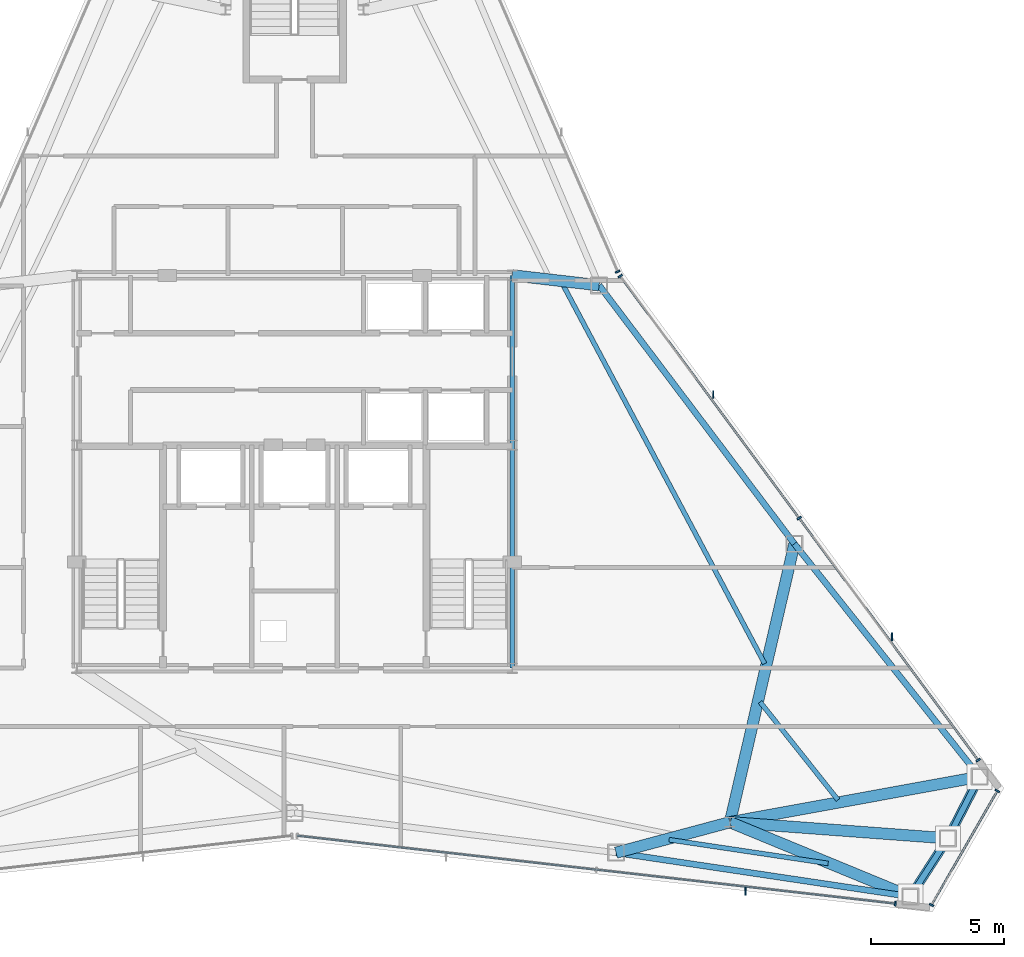
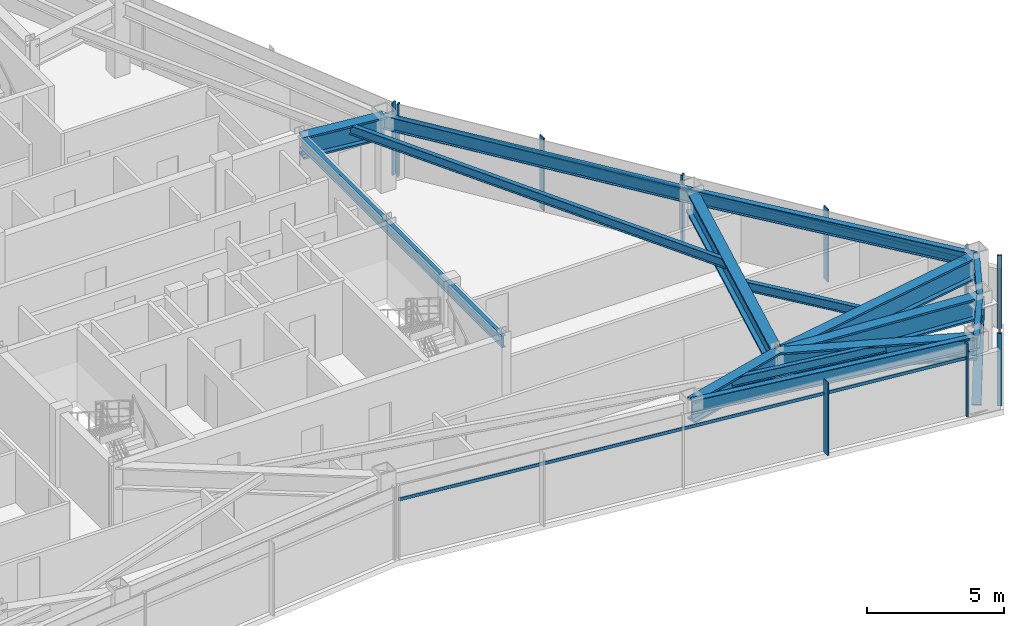
# One storey, part 6 of 12: 15 beams, 15 members, 4 elements without a shape of their own.
"""IFC4 building model written with IfcOpenShell, lengths in metres."""

from ifc_helpers import new_model, si_unit, direction, frame, origin, origin_2d, place, context, subcontext, project, spatial, rectangle, hollow_rectangle, i_section, extrude, source, transform, mapped, material, layer, layer_set, material_profile, profile_set, type_object, type_shapes, element, aggregate, save


model = new_model("IFC4")

# Units and contexts
model_context = context("Model", 3, precision=1e-05, world=origin(), true_north=direction((0.0, 1.0)))
body_context = subcontext(model_context, "Body", "Model", "MODEL_VIEW")
ifc_project = project(units=[si_unit("LENGTHUNIT", "METRE"), si_unit("AREAUNIT", "SQUARE_METRE"), si_unit("VOLUMEUNIT", "CUBIC_METRE"), si_unit("PLANEANGLEUNIT", "RADIAN"), si_unit("MASSUNIT", "GRAM", prefix="KILO")], contexts=[model_context])

# Site, building, storey
site_placement = place(None, origin())
site = spatial("IfcSite", under=ifc_project, at=site_placement, CompositionType="ELEMENT")
building_placement = place(site_placement, origin())
building = spatial("IfcBuilding", under=site, at=building_placement, Name="Varakhsha Concourse Tower", CompositionType="ELEMENT")
storey_placement = place(building_placement, frame((0.0, 0.0, 283.0)))
storey = spatial("IfcBuildingStorey", under=building, at=storey_placement, Name="L80", CompositionType="ELEMENT", Elevation=283.0)

# Beams
ifc_material_1 = material(Name="Structural Steel ASTM A992 Grade 50", Category="steel")
ifc_material_profile_1 = material_profile(ifc_material_1, i_section(OverallWidth=0.177978515625, OverallDepth=0.406982421875, WebThickness=0.008056640625, FlangeThickness=0.012939453125, at=origin_2d()), Name="W16X40")
ifc_profile_set_1 = profile_set([ifc_material_profile_1], Name="Structural Steel ASTM A992 Grade 50")
beam_type_1 = type_object("IfcBeamType", Name="BM-JST-W16X40", PredefinedType="JOIST", material=ifc_profile_set_1)
beam_1_placement = place(storey_placement, frame((54.1064453125, 9.940673828125, 3.04638671875), z_axis=(0.989050778545, -0.14757559913, 0.0), x_axis=(0.14757559913, 0.989050778545, 0.0)))
element("IfcBeam", 1, at=beam_1_placement, inside=storey, type_object=beam_type_1, Name="BM-TJST-L80-12", PredefinedType="JOIST", context=body_context, shape_type="SweptSolid", body=[
    extrude(i_section(OverallWidth=0.177978515625, OverallDepth=0.406982421875, WebThickness=0.008056640625, FlangeThickness=0.012939453125, at=origin_2d()), origin(), (0.0, 0.0, 1.0), 6.056640625),
])
beam_2_placement = place(storey_placement, frame((60.468505859375, 11.43994140625, 3.04638671875), z_axis=(-0.622297049911, 0.782781183775, 0.0), x_axis=(-0.782781183775, -0.622297049911, 0.0)))
element("IfcBeam", 2, at=beam_2_placement, inside=storey, type_object=beam_type_1, Name="BM-TJST-L80-15", PredefinedType="JOIST", context=body_context, shape_type="SweptSolid", body=[
    extrude(i_section(OverallWidth=0.177978515625, OverallDepth=0.406982421875, WebThickness=0.008056640625, FlangeThickness=0.012939453125, at=origin_2d()), origin(), (0.0, 0.0, 1.0), 4.71142578125),
])
beam_3_placement = place(storey_placement, frame((57.707763671875, 16.569580078125, 3.04638671875), z_axis=(-0.469879718571, 0.88273045154, 0.0), x_axis=(-0.88273045154, -0.469879718571, 0.0)))
element("IfcBeam", 3, at=beam_3_placement, inside=storey, type_object=beam_type_1, Name="BM-TJST-L80-16", PredefinedType="JOIST", context=body_context, shape_type="SweptSolid", body=[
    extrude(i_section(OverallWidth=0.177978515625, OverallDepth=0.406982421875, WebThickness=0.008056640625, FlangeThickness=0.012939453125, at=origin_2d()), origin(), (0.0, 0.0, 1.0), 16.224853515625),
])
ifc_material_profile_2 = material_profile(ifc_material_1, i_section(OverallWidth=0.1669921875, OverallDepth=0.534912109375, WebThickness=0.010009765625, FlangeThickness=0.01708984375, at=origin_2d()), Name="W21X57")
ifc_profile_set_2 = profile_set([ifc_material_profile_2], Name="Structural Steel ASTM A992 Grade 50")
beam_type_2 = type_object("IfcBeamType", Name="BM-RAD-W21X57", PredefinedType="BEAM", material=ifc_profile_set_2)
beam_4_placement = place(storey_placement, frame((48.199951171875, 16.39990234375, 2.982421875), z_axis=(0.0, 1.0, 0.0), x_axis=(-1.0, 0.0, 0.0)))
element("IfcBeam", 4, at=beam_4_placement, inside=storey, type_object=beam_type_2, Name="BM-TCORE-L80-CE", PredefinedType="BEAM", context=body_context, shape_type="SweptSolid", body=[
    extrude(i_section(OverallWidth=0.1669921875, OverallDepth=0.534912109375, WebThickness=0.010009765625, FlangeThickness=0.01708984375, at=origin_2d()), origin(), (0.0, 0.0, 1.0), 14.800048828125),
])
ifc_material_profile_3 = material_profile(ifc_material_1, i_section(OverallWidth=0.22900390625, OverallDepth=0.612060546875, WebThickness=0.011962890625, FlangeThickness=0.02001953125, at=origin_2d()), Name="W24X84")
ifc_profile_set_3 = profile_set([ifc_material_profile_3], Name="Structural Steel ASTM A992 Grade 50")
beam_type_3 = type_object("IfcBeamType", Name="BM-SPAN-W24X84", PredefinedType="SPANDREL", material=ifc_profile_set_3)
beam_5_placement = place(storey_placement, frame((52.110107421875, 9.45166015625, 2.944091796875), z_axis=(0.989050299735, -0.147578808076, 0.0), x_axis=(0.147578808076, 0.989050299735, 0.0)))
element("IfcBeam", 5, at=beam_5_placement, inside=storey, type_object=beam_type_3, Name="BM-SPAN-L80-12", PredefinedType="SPANDREL", context=body_context, shape_type="SweptSolid", body=[
    extrude(i_section(OverallWidth=0.22900390625, OverallDepth=0.612060546875, WebThickness=0.011962890625, FlangeThickness=0.02001953125, at=origin_2d()), origin(), (0.0, 0.0, 1.0), 11.2080078125),
])
beam_6_placement = place(storey_placement, frame((63.1953125, 7.797607421875, 2.944091796875), z_axis=(0.541792375817, 0.840512356546, 0.0), x_axis=(-0.840512356546, 0.541792375817, 0.0)))
element("IfcBeam", 6, at=beam_6_placement, inside=storey, type_object=beam_type_3, Name="BM-SPAN-L80-13", PredefinedType="SPANDREL", context=body_context, shape_type="SweptSolid", body=[
    extrude(i_section(OverallWidth=0.22900390625, OverallDepth=0.612060546875, WebThickness=0.011962890625, FlangeThickness=0.02001953125, at=origin_2d()), origin(), (0.0, 0.0, 1.0), 2.6103515625),
])
beam_7_placement = place(storey_placement, frame((64.609619140625, 9.99169921875, 2.944091796875), z_axis=(0.457026728921, 0.889452960562, 0.0), x_axis=(-0.889452960562, 0.457026728921, 0.0)))
element("IfcBeam", 7, at=beam_7_placement, inside=storey, type_object=beam_type_3, Name="BM-SPAN-L80-14", PredefinedType="SPANDREL", context=body_context, shape_type="SweptSolid", body=[
    extrude(i_section(OverallWidth=0.22900390625, OverallDepth=0.612060546875, WebThickness=0.011962890625, FlangeThickness=0.02001953125, at=origin_2d()), origin(), (0.0, 0.0, 1.0), 2.610107421875),
])
beam_8_placement = place(storey_placement, frame((65.802490234375, 12.313232421875, 2.944091796875), z_axis=(-0.62232797875, 0.782756594903, 0.0), x_axis=(-0.782756594903, -0.62232797875, 0.0)))
element("IfcBeam", 8, at=beam_8_placement, inside=storey, type_object=beam_type_3, Name="BM-SPAN-L80-15", PredefinedType="SPANDREL", context=body_context, shape_type="SweptSolid", body=[
    extrude(i_section(OverallWidth=0.22900390625, OverallDepth=0.612060546875, WebThickness=0.011962890625, FlangeThickness=0.02001953125, at=origin_2d()), origin(), (0.0, 0.0, 1.0), 11.2080078125),
])
beam_9_placement = place(storey_placement, frame((58.827392578125, 21.08642578125, 2.944091796875), z_axis=(-0.60276855687, 0.797916077572, 0.0), x_axis=(-0.797916077572, -0.60276855687, 0.0)))
element("IfcBeam", 9, at=beam_9_placement, inside=storey, type_object=beam_type_3, Name="BM-SPAN-L80-16", PredefinedType="SPANDREL", context=body_context, shape_type="SweptSolid", body=[
    extrude(i_section(OverallWidth=0.22900390625, OverallDepth=0.612060546875, WebThickness=0.011962890625, FlangeThickness=0.02001953125, at=origin_2d()), origin(), (0.0, 0.0, 1.0), 12.202880859375),
])
ifc_material_profile_4 = material_profile(ifc_material_1, i_section(OverallWidth=0.427978515625, OverallDepth=0.97509765625, WebThickness=0.050048828125, FlangeThickness=0.0810546875, at=origin_2d()), Name="W36X395")
ifc_profile_set_4 = profile_set([ifc_material_profile_4], Name="Structural Steel ASTM A992 Grade 50")
beam_type_4 = type_object("IfcBeamType", Name="BM-XFER-W36X395", PredefinedType="USERDEFINED", material=ifc_profile_set_4)
beam_10_placement = place(storey_placement, frame((56.39990234375, 10.60009765625, 2.762451171875), z_axis=(-0.965982637978, -0.258606927838, 0.0), x_axis=(0.258606927838, -0.965982637978, 0.0)))
element("IfcBeam", 10, at=beam_10_placement, inside=storey, type_object=beam_type_4, Name="L80 Radial Floor Girder 12", ObjectType="GIRDER", PredefinedType="USERDEFINED", context=body_context, shape_type="SweptSolid", body=[
    extrude(i_section(OverallWidth=0.427978515625, OverallDepth=0.97509765625, WebThickness=0.050048828125, FlangeThickness=0.0810546875, at=origin_2d()), origin(), (0.0, 0.0, 1.0), 4.44091796875),
])
beam_11_placement = place(storey_placement, frame((56.39990234375, 10.60009765625, 2.762451171875), z_axis=(0.924468161954, -0.381259252392, 0.0), x_axis=(0.381259252392, 0.924468161954, 0.0)))
element("IfcBeam", 11, at=beam_11_placement, inside=storey, type_object=beam_type_4, Name="L80 Radial Floor Girder 13", ObjectType="GIRDER", PredefinedType="USERDEFINED", context=body_context, shape_type="SweptSolid", body=[
    extrude(i_section(OverallWidth=0.427978515625, OverallDepth=0.97509765625, WebThickness=0.050048828125, FlangeThickness=0.0810546875, at=origin_2d()), origin(), (0.0, 0.0, 1.0), 7.3505859375),
])
beam_12_placement = place(storey_placement, frame((56.39990234375, 10.60009765625, 2.762451171875), z_axis=(0.997265326359, -0.073904457528, 0.0), x_axis=(0.073904457528, 0.997265326359, 0.0)))
element("IfcBeam", 12, at=beam_12_placement, inside=storey, type_object=beam_type_4, Name="L80 Radial Floor Girder 14", ObjectType="GIRDER", PredefinedType="USERDEFINED", context=body_context, shape_type="SweptSolid", body=[
    extrude(i_section(OverallWidth=0.427978515625, OverallDepth=0.97509765625, WebThickness=0.050048828125, FlangeThickness=0.0810546875, at=origin_2d()), origin(), (0.0, 0.0, 1.0), 8.232177734375),
])
beam_13_placement = place(storey_placement, frame((56.39990234375, 10.60009765625, 2.762451171875), z_axis=(0.983804040319, 0.179247343778, 0.0), x_axis=(-0.179247343778, 0.983804040319, 0.0)))
element("IfcBeam", 13, at=beam_13_placement, inside=storey, type_object=beam_type_4, Name="L80 Radial Floor Girder 15", ObjectType="GIRDER", PredefinedType="USERDEFINED", context=body_context, shape_type="SweptSolid", body=[
    extrude(i_section(OverallWidth=0.427978515625, OverallDepth=0.97509765625, WebThickness=0.050048828125, FlangeThickness=0.0810546875, at=origin_2d()), origin(), (0.0, 0.0, 1.0), 9.557373046875),
])
beam_14_placement = place(storey_placement, frame((56.39990234375, 10.60009765625, 2.762451171875), z_axis=(0.225527043555, 0.974236907854, 0.0), x_axis=(-0.974236907854, 0.225527043555, 0.0)))
element("IfcBeam", 14, at=beam_14_placement, inside=storey, type_object=beam_type_4, Name="L80 Radial Floor Girder 16", ObjectType="GIRDER", PredefinedType="USERDEFINED", context=body_context, shape_type="SweptSolid", body=[
    extrude(i_section(OverallWidth=0.427978515625, OverallDepth=0.97509765625, WebThickness=0.050048828125, FlangeThickness=0.0810546875, at=origin_2d()), origin(), (0.0, 0.0, 1.0), 10.763671875),
])
beam_15_placement = place(storey_placement, frame((48.199951171875, 31.199951171875, 2.762451171875), z_axis=(0.993437473309, -0.114376512559, 0.0), x_axis=(0.114376512559, 0.993437473309, 0.0)))
element("IfcBeam", 15, at=beam_15_placement, inside=storey, type_object=beam_type_4, Name="L80 Radial Floor Girder 17", ObjectType="GIRDER", PredefinedType="USERDEFINED", context=body_context, shape_type="SweptSolid", body=[
    extrude(i_section(OverallWidth=0.427978515625, OverallDepth=0.97509765625, WebThickness=0.050048828125, FlangeThickness=0.0810546875, at=origin_2d()), origin(), (0.0, 0.0, 1.0), 3.293701171875),
])

# Members
ifc_material_2 = material(Name="Structural Steel ASTM A500 Grade C", Category="steel")
ifc_material_profile_5 = material_profile(ifc_material_2, hollow_rectangle(XDim=0.35009765625, YDim=0.35009765625, WallThickness=0.01611328125, at=origin_2d()), Name="HSS 350x350x16")
ifc_profile_set_5 = profile_set([ifc_material_profile_5], Name="Structural Steel ASTM A500 Grade C")
member_type_1 = type_object("IfcMemberType", Name="MB-TUBE-HSS350", PredefinedType="BRACE", material=ifc_profile_set_5)
shared_shape_1 = source(origin(), body_context, "Body", "SweptSolid", [
    extrude(hollow_rectangle(XDim=0.35009765625, YDim=0.35009765625, WallThickness=0.01611328125, at=origin_2d()), origin(), (0.0, 0.0, 1.0), 3.849853515625),
])
member_1_placement = place(storey_placement, frame((63.1953125, 7.797607421875, 0.1201171875), z_axis=(0.367355317678, 0.569898539612, 0.735027703643), x_axis=(-0.840512356546, 0.541792375817, 0.0)))
element("IfcMember", 16, at=member_1_placement, inside=storey, type_object=member_type_1, Name="L80 Wind-Corner Tube Brace B05", PredefinedType="BRACE", context=body_context, shape_type="MappedRepresentation", body=[
    mapped(shared_shape_1, transform((0.0, 0.0, 0.0), scale=1.0)),
])
shared_shape_2 = source(origin(), body_context, "Body", "SweptSolid", [
    extrude(hollow_rectangle(XDim=0.35009765625, YDim=0.35009765625, WallThickness=0.01611328125, at=origin_2d()), origin(), (0.0, 0.0, 1.0), 3.849609375),
])
type_shapes(member_type_1, [shared_shape_1, shared_shape_2])
member_2_placement = place(storey_placement, frame((65.802490234375, 12.313232421875, 0.1201171875), z_axis=(-0.309858407684, -0.603037985809, 0.735073435011), x_axis=(0.889452960562, -0.457026728921, 0.0)))
element("IfcMember", 17, at=member_2_placement, inside=storey, type_object=member_type_1, Name="L80 Wind-Corner Tube Brace B06", PredefinedType="BRACE", context=body_context, shape_type="MappedRepresentation", body=[
    mapped(shared_shape_2, transform((0.0, 0.0, 0.0), scale=1.0)),
])

# Curtain wall, member
ifc_material_3 = material(Name="Anodised Bronze Architectural Aluminium AA 6063-T6", Category="aluminium")
ifc_layer = layer(ifc_material_3, 0.199951171875, Name="CW-SYS-05")
ifc_layer_set = layer_set([ifc_layer], Name="Anodised Bronze Architectural Aluminium AA 6063-T6")
curtain_wall_type = type_object("IfcCurtainWallType", Name="CW-SYS-05", PredefinedType="NOTDEFINED", material=ifc_layer_set)
curtain_wall_1_placement = place(storey_placement, origin())
curtain_wall_1 = element("IfcCurtainWall", 18, at=curtain_wall_1_placement, inside=storey, type_object=curtain_wall_type, Name="L80 Crystal Curtain Wall F6", PredefinedType="NOTDEFINED")
ifc_material_profile_6 = material_profile(ifc_material_3, rectangle(XDim=0.06494140625, YDim=0.179931640625, at=origin_2d()), Name="CWM-180X65")
ifc_profile_set_6 = profile_set([ifc_material_profile_6], Name="Anodised Bronze Architectural Aluminium AA 6063-T6")
member_type_2 = type_object("IfcMemberType", Name="CWM-180X65", PredefinedType="MULLION", material=ifc_profile_set_6)
shared_shape_3 = source(origin(), body_context, "Body", "SweptSolid", [
    extrude(rectangle(XDim=0.06494140625, YDim=0.179931640625, at=origin_2d()), origin(), (0.0, 0.0, 1.0), 3.25),
])
type_shapes(member_type_2, [shared_shape_3])
member_3_placement = place(storey_placement, frame((62.62890625, 7.532470703125, 0.0), z_axis=(0.0, 0.0, 1.0), x_axis=(-0.993612689247, 0.112844245613, 0.0)))
member_3 = element("IfcMember", 19, at=member_3_placement, type_object=member_type_2, Name="CW-L80-F6 Mullion 00", PredefinedType="MULLION", context=body_context, shape_type="MappedRepresentation", body=[
    mapped(shared_shape_3, transform((0.0, 0.0, 0.0), scale=1.0)),
])

# Curtain wall, members
curtain_wall_2_placement = place(storey_placement, origin())
curtain_wall_2 = element("IfcCurtainWall", 20, at=curtain_wall_2_placement, inside=storey, type_object=curtain_wall_type, Name="L80 Chamfer Curtain Wall F7", PredefinedType="NOTDEFINED")
member_4_placement = place(storey_placement, frame((66.47314453125, 11.779296875, 0.0), z_axis=(0.0, 0.0, 1.0), x_axis=(-0.499989419466, -0.866031512372, 0.0)))
member_4 = element("IfcMember", 21, at=member_4_placement, type_object=member_type_2, Name="CW-L80-F7 Mullion 00", PredefinedType="MULLION", context=body_context, shape_type="MappedRepresentation", body=[
    mapped(shared_shape_3, transform((0.0, 0.0, 0.0), scale=1.0)),
])
member_5_placement = place(storey_placement, frame((63.9931640625, 7.48388671875, 0.0), z_axis=(0.0, 0.0, 1.0), x_axis=(-0.499989419466, -0.866031512372, 0.0)))
member_5 = element("IfcMember", 22, at=member_5_placement, type_object=member_type_2, Name="CW-L80-F7 Mullion 01", PredefinedType="MULLION", context=body_context, shape_type="MappedRepresentation", body=[
    mapped(shared_shape_3, transform((0.0, 0.0, 0.0), scale=1.0)),
])

curtain_wall_3_placement = place(storey_placement, origin())
curtain_wall_3 = element("IfcCurtainWall", 23, at=curtain_wall_3_placement, inside=storey, type_object=curtain_wall_type, Name="L80 Crystal Curtain Wall F8", PredefinedType="NOTDEFINED")
member_6_placement = place(storey_placement, frame((52.26708984375, 31.169921875, 0.0), z_axis=(0.0, 0.0, 1.0), x_axis=(0.594533731364, -0.804070669948, 0.0)))
member_6 = element("IfcMember", 24, at=member_6_placement, type_object=member_type_2, Name="CW-L80-F8 Mullion 00", PredefinedType="MULLION", context=body_context, shape_type="MappedRepresentation", body=[
    mapped(shared_shape_3, transform((0.0, 0.0, 0.0), scale=1.0)),
])
member_7_placement = place(storey_placement, frame((59.008056640625, 22.05322265625, 0.0), z_axis=(0.0, 0.0, 1.0), x_axis=(0.594533731364, -0.804070669948, 0.0)))
member_7 = element("IfcMember", 25, at=member_7_placement, type_object=member_type_2, Name="CW-L80-F8 Mullion 01", PredefinedType="MULLION", context=body_context, shape_type="MappedRepresentation", body=[
    mapped(shared_shape_3, transform((0.0, 0.0, 0.0), scale=1.0)),
])
member_8_placement = place(storey_placement, frame((65.748779296875, 12.9365234375, 0.0), z_axis=(0.0, 0.0, 1.0), x_axis=(0.594533731364, -0.804070669948, 0.0)))
member_8 = element("IfcMember", 26, at=member_8_placement, type_object=member_type_2, Name="CW-L80-F8 Mullion 02", PredefinedType="MULLION", context=body_context, shape_type="MappedRepresentation", body=[
    mapped(shared_shape_3, transform((0.0, 0.0, 0.0), scale=1.0)),
])

# Curtain wall, member
curtain_wall_4_placement = place(storey_placement, origin())
curtain_wall_4 = element("IfcCurtainWall", 27, at=curtain_wall_4_placement, inside=storey, type_object=curtain_wall_type, Name="L80 Crystal Curtain Wall F9", PredefinedType="NOTDEFINED")
member_9_placement = place(storey_placement, frame((52.169677734375, 31.3388671875, 0.0), z_axis=(0.0, 0.0, 1.0), x_axis=(0.39908356189, -0.916914560158, 0.0)))
member_9 = element("IfcMember", 28, at=member_9_placement, type_object=member_type_2, Name="CW-L80-F9 Mullion 02", PredefinedType="MULLION", context=body_context, shape_type="MappedRepresentation", body=[
    mapped(shared_shape_3, transform((0.0, 0.0, 0.0), scale=1.0)),
])
aggregate(curtain_wall_4, [member_9])

# Member
ifc_material_profile_7 = material_profile(ifc_material_3, rectangle(XDim=0.054931640625, YDim=0.300048828125, at=origin_2d()), Name="FIN-BRZ-300")
ifc_profile_set_7 = profile_set([ifc_material_profile_7], Name="Anodised Bronze Architectural Aluminium AA 6063-T6")
member_type_3 = type_object("IfcMemberType", Name="FIN-BRZ-300", PredefinedType="USERDEFINED", material=ifc_profile_set_7)
shared_shape_4 = source(origin(), body_context, "Body", "SweptSolid", [
    extrude(rectangle(XDim=0.054931640625, YDim=0.300048828125, at=origin_2d()), origin(), (0.0, 0.0, 1.0), 3.25),
])
type_shapes(member_type_3, [shared_shape_4])
member_10_placement = place(storey_placement, frame((56.977294921875, 8.00830078125, 0.0), z_axis=(0.0, 0.0, 1.0), x_axis=(1.0, 0.0, 0.0)))
member_10 = element("IfcMember", 29, at=member_10_placement, type_object=member_type_3, Name="L80 Anodised Bronze Solar Fin F6-1", ObjectType="SOLAR FIN", PredefinedType="USERDEFINED", context=body_context, shape_type="MappedRepresentation", body=[
    mapped(shared_shape_4, transform((0.0, 0.0, 0.0), scale=1.0)),
])

member_11_placement = place(storey_placement, frame((55.770263671875, 26.709716796875, 0.0), z_axis=(0.0, 0.0, 1.0), x_axis=(1.0, 0.0, 0.0)))
member_11 = element("IfcMember", 30, at=member_11_placement, type_object=member_type_3, Name="L80 Anodised Bronze Solar Fin F8-1", ObjectType="SOLAR FIN", PredefinedType="USERDEFINED", context=body_context, shape_type="MappedRepresentation", body=[
    mapped(shared_shape_4, transform((0.0, 0.0, 0.0), scale=1.0)),
])

member_12_placement = place(storey_placement, frame((62.510986328125, 17.593017578125, 0.0), z_axis=(0.0, 0.0, 1.0), x_axis=(1.0, 0.0, 0.0)))
member_12 = element("IfcMember", 31, at=member_12_placement, type_object=member_type_3, Name="L80 Anodised Bronze Solar Fin F8-2", ObjectType="SOLAR FIN", PredefinedType="USERDEFINED", context=body_context, shape_type="MappedRepresentation", body=[
    mapped(shared_shape_4, transform((0.0, 0.0, 0.0), scale=1.0)),
])

ifc_material_profile_8 = material_profile(ifc_material_3, rectangle(XDim=0.06005859375, YDim=0.139892578125, at=origin_2d()), Name="CWT-140X60")
ifc_profile_set_8 = profile_set([ifc_material_profile_8], Name="Anodised Bronze Architectural Aluminium AA 6063-T6")
member_type_4 = type_object("IfcMemberType", Name="CWT-140X60", PredefinedType="USERDEFINED", material=ifc_profile_set_8)
shared_shape_5 = source(origin(), body_context, "Body", "SweptSolid", [
    extrude(rectangle(XDim=0.06005859375, YDim=0.139892578125, at=origin_2d()), origin(), (0.0, 0.0, 1.0), 4.9599609375),
])
member_13_placement = place(storey_placement, frame((66.47314453125, 11.779296875, 2.60009765625), z_axis=(-0.50000366821, -0.866023285932, 0.0), x_axis=(0.866023285932, -0.50000366821, 0.0)))
member_13 = element("IfcMember", 32, at=member_13_placement, type_object=member_type_4, Name="CW-L80-F7 Transom 01", ObjectType="TRANSOM", PredefinedType="USERDEFINED", context=body_context, shape_type="MappedRepresentation", body=[
    mapped(shared_shape_5, transform((0.0, 0.0, 0.0), scale=1.0)),
])

aggregate(curtain_wall_2, [member_4, member_5, member_13])

shared_shape_6 = source(origin(), body_context, "Body", "SweptSolid", [
    extrude(rectangle(XDim=0.06005859375, YDim=0.139892578125, at=origin_2d()), origin(), (0.0, 0.0, 1.0), 22.67626953125),
])
type_shapes(member_type_4, [shared_shape_5, shared_shape_6])
member_14_placement = place(storey_placement, frame((62.62890625, 7.532470703125, 2.60009765625), z_axis=(-0.99361296623, 0.112841806706, 0.0), x_axis=(-0.112841806706, -0.99361296623, 0.0)))
member_14 = element("IfcMember", 33, at=member_14_placement, type_object=member_type_4, Name="CW-L80-F6 Transom 01", ObjectType="TRANSOM", PredefinedType="USERDEFINED", context=body_context, shape_type="MappedRepresentation", body=[
    mapped(shared_shape_6, transform((0.0, 0.0, 0.0), scale=1.0)),
])

aggregate(curtain_wall_1, [member_3, member_14, member_10])

member_15_placement = place(storey_placement, frame((52.26708984375, 31.169921875, 2.60009765625), z_axis=(0.594528790613, -0.80407432314, 0.0), x_axis=(0.80407432314, 0.594528790613, 0.0)))
member_15 = element("IfcMember", 34, at=member_15_placement, type_object=member_type_4, Name="CW-L80-F8 Transom 01", ObjectType="TRANSOM", PredefinedType="USERDEFINED", context=body_context, shape_type="MappedRepresentation", body=[
    mapped(shared_shape_6, transform((0.0, 0.0, 0.0), scale=1.0)),
])

aggregate(curtain_wall_3, [member_6, member_7, member_8, member_15, member_11, member_12])

save(model, "model.ifc")
